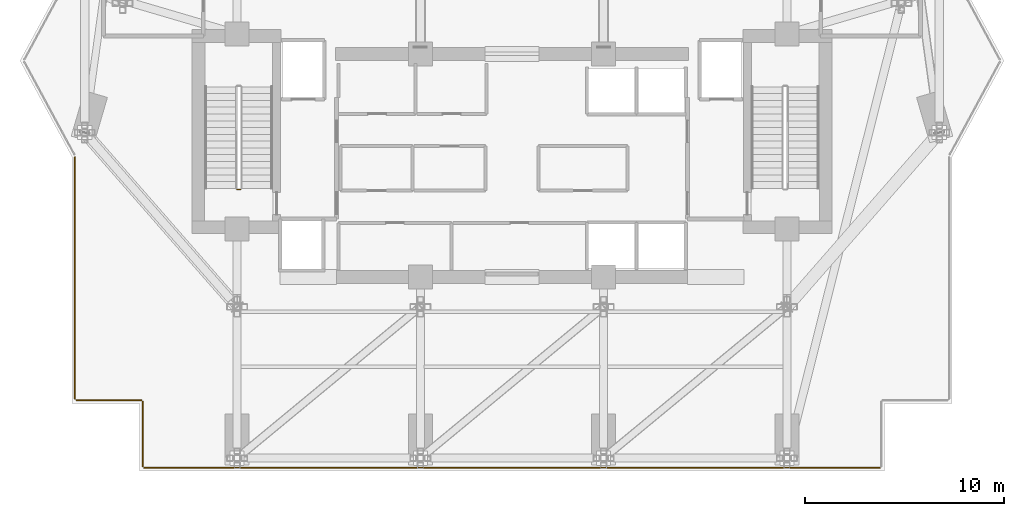
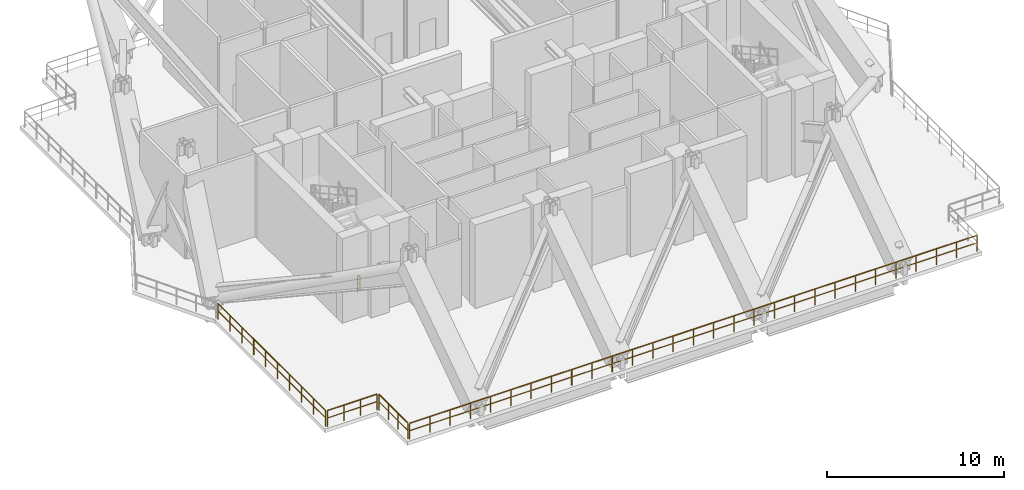
# One storey, part 15 of 18: 5 railings.
"""IFC4 building model written with IfcOpenShell, lengths in metres."""

from ifc_helpers import new_model, si_unit, direction, frame, origin, origin_2d, place, context, subcontext, project, spatial, rectangle, extrude, material, type_object, element, save


model = new_model("IFC4")

# Units and contexts
model_context = context("Model", 3, precision=1e-05, world=origin(), true_north=direction((0.0, 1.0)))
body_context = subcontext(model_context, "Body", "Model", "MODEL_VIEW")
ifc_project = project(units=[si_unit("LENGTHUNIT", "METRE"), si_unit("AREAUNIT", "SQUARE_METRE"), si_unit("VOLUMEUNIT", "CUBIC_METRE"), si_unit("PLANEANGLEUNIT", "RADIAN"), si_unit("MASSUNIT", "GRAM", prefix="KILO")], contexts=[model_context])

# Site, building, storey
site_placement = place(None, origin())
site = spatial("IfcSite", under=ifc_project, at=site_placement, CompositionType="ELEMENT")
building_placement = place(site_placement, origin())
building = spatial("IfcBuilding", under=site, at=building_placement, Name="Zuhayl Quay Hotel", CompositionType="ELEMENT")
storey_placement = place(building_placement, frame((0.0, 0.0, 233.64990234375)))
storey = spatial("IfcBuildingStorey", under=building, at=storey_placement, Name="L59", CompositionType="ELEMENT", Elevation=233.64990234375)

# Railings
ifc_material_1 = material(Name="Anodised Aluminium and Laminated Glass", Category="aluminium")
railing_type_1 = type_object("IfcRailingType", Name="RL_EXT_BAL_1100", PredefinedType="BALUSTRADE", material=ifc_material_1)
railing_1_placement = place(storey_placement, frame((-18.5400390625, -7.360107421875, 0.0)))
element("IfcRailing", 1, at=railing_1_placement, inside=storey, type_object=railing_type_1, Name="L59 Balcony and Terrace Guard GR_WIND_L59_01", PredefinedType="BALUSTRADE", context=body_context, shape_type="SweptSolid", body=[
    extrude(rectangle(XDim=0.048095703125, YDim=0.048095703125, at=origin_2d()), frame((0.0, 0.0, 1.09619140625), z_axis=(0.0, 1.0, 0.0), x_axis=(-1.0, 0.0, 0.0)), (0.0, 0.0, 1.0), 3.239990234375),
    extrude(rectangle(XDim=0.0361328125, YDim=0.0361328125, at=origin_2d()), frame((0.0, 0.0, 0.58251953125), z_axis=(0.0, 1.0, 0.0), x_axis=(-1.0, 0.0, 0.0)), (0.0, 0.0, 1.0), 3.239990234375),
    extrude(rectangle(XDim=0.0419921875, YDim=0.0419921875, at=origin_2d()), origin(), (0.0, 0.0, 1.0), 1.072021484375),
    extrude(rectangle(XDim=0.0419921875, YDim=0.0419921875, at=origin_2d()), frame((0.0, 1.080078125, 0.0)), (0.0, 0.0, 1.0), 1.072021484375),
    extrude(rectangle(XDim=0.0419921875, YDim=0.0419921875, at=origin_2d()), frame((0.0, 2.159912109375, 0.0)), (0.0, 0.0, 1.0), 1.072021484375),
    extrude(rectangle(XDim=0.0419921875, YDim=0.0419921875, at=origin_2d()), frame((0.0, 3.239990234375, 0.0)), (0.0, 0.0, 1.0), 1.072021484375),
])
railing_2_placement = place(storey_placement, frame((-18.6201171875, -4.0400390625, 0.0)))
element("IfcRailing", 2, at=railing_2_placement, inside=storey, type_object=railing_type_1, Name="L59 Balcony and Terrace Guard GR_WIND_L59_02", PredefinedType="BALUSTRADE", context=body_context, shape_type="SweptSolid", body=[
    extrude(rectangle(XDim=0.048095703125, YDim=0.048095703125, at=origin_2d()), frame((0.0, 0.0, 1.09619140625), z_axis=(-1.0, 0.0, 0.0), x_axis=(0.0, -1.0, 0.0)), (0.0, 0.0, 1.0), 3.239990234375),
    extrude(rectangle(XDim=0.0361328125, YDim=0.0361328125, at=origin_2d()), frame((0.0, 0.0, 0.58251953125), z_axis=(-1.0, 0.0, 0.0), x_axis=(0.0, -1.0, 0.0)), (0.0, 0.0, 1.0), 3.239990234375),
    extrude(rectangle(XDim=0.0419921875, YDim=0.0419921875, at=origin_2d()), origin(), (0.0, 0.0, 1.0), 1.072021484375),
    extrude(rectangle(XDim=0.0419921875, YDim=0.0419921875, at=origin_2d()), frame((-1.080078125, 0.0, 0.0)), (0.0, 0.0, 1.0), 1.072021484375),
    extrude(rectangle(XDim=0.0419921875, YDim=0.0419921875, at=origin_2d()), frame((-2.159912109375, 0.0, 0.0)), (0.0, 0.0, 1.0), 1.072021484375),
    extrude(rectangle(XDim=0.0419921875, YDim=0.0419921875, at=origin_2d()), frame((-3.239990234375, 0.0, 0.0)), (0.0, 0.0, 1.0), 1.072021484375),
])
railing_3_placement = place(storey_placement, frame((-21.93994140625, -3.9599609375, 0.0)))
element("IfcRailing", 3, at=railing_3_placement, inside=storey, type_object=railing_type_1, Name="L59 Balcony and Terrace Guard GR_WIND_L59_03", PredefinedType="BALUSTRADE", context=body_context, shape_type="SweptSolid", body=[
    extrude(rectangle(XDim=0.048095703125, YDim=0.048095703125, at=origin_2d()), frame((0.0, 0.0, 1.09619140625), z_axis=(0.0, 1.0, 0.0), x_axis=(-1.0, 0.0, 0.0)), (0.0, 0.0, 1.0), 12.12060546875),
    extrude(rectangle(XDim=0.0361328125, YDim=0.0361328125, at=origin_2d()), frame((0.0, 0.0, 0.58251953125), z_axis=(0.0, 1.0, 0.0), x_axis=(-1.0, 0.0, 0.0)), (0.0, 0.0, 1.0), 12.12060546875),
    extrude(rectangle(XDim=0.0419921875, YDim=0.0419921875, at=origin_2d()), origin(), (0.0, 0.0, 1.0), 1.072021484375),
    extrude(rectangle(XDim=0.0419921875, YDim=0.0419921875, at=origin_2d()), frame((0.0, 1.3466796875, 0.0)), (0.0, 0.0, 1.0), 1.072021484375),
    extrude(rectangle(XDim=0.0419921875, YDim=0.0419921875, at=origin_2d()), frame((0.0, 2.693359375, 0.0)), (0.0, 0.0, 1.0), 1.072021484375),
    extrude(rectangle(XDim=0.0419921875, YDim=0.0419921875, at=origin_2d()), frame((0.0, 4.040283203125, 0.0)), (0.0, 0.0, 1.0), 1.072021484375),
    extrude(rectangle(XDim=0.0419921875, YDim=0.0419921875, at=origin_2d()), frame((0.0, 5.386962890625, 0.0)), (0.0, 0.0, 1.0), 1.072021484375),
    extrude(rectangle(XDim=0.0419921875, YDim=0.0419921875, at=origin_2d()), frame((0.0, 6.733642578125, 0.0)), (0.0, 0.0, 1.0), 1.072021484375),
    extrude(rectangle(XDim=0.0419921875, YDim=0.0419921875, at=origin_2d()), frame((0.0, 8.080322265625, 0.0)), (0.0, 0.0, 1.0), 1.072021484375),
    extrude(rectangle(XDim=0.0419921875, YDim=0.0419921875, at=origin_2d()), frame((0.0, 9.42724609375, 0.0)), (0.0, 0.0, 1.0), 1.072021484375),
    extrude(rectangle(XDim=0.0419921875, YDim=0.0419921875, at=origin_2d()), frame((0.0, 10.77392578125, 0.0)), (0.0, 0.0, 1.0), 1.072021484375),
    extrude(rectangle(XDim=0.0419921875, YDim=0.0419921875, at=origin_2d()), frame((0.0, 12.12060546875, 0.0)), (0.0, 0.0, 1.0), 1.072021484375),
])
railing_4_placement = place(storey_placement, frame((18.4599609375, -7.43994140625, 0.0)))
element("IfcRailing", 4, at=railing_4_placement, inside=storey, type_object=railing_type_1, Name="L59 Balcony and Terrace Guard GR_WIND_L59_18", PredefinedType="BALUSTRADE", context=body_context, shape_type="SweptSolid", body=[
    extrude(rectangle(XDim=0.048095703125, YDim=0.048095703125, at=origin_2d()), frame((0.0, 0.0, 1.09619140625), z_axis=(-1.0, 0.0, 0.0), x_axis=(0.0, -1.0, 0.0)), (0.0, 0.0, 1.0), 36.919921875),
    extrude(rectangle(XDim=0.0361328125, YDim=0.0361328125, at=origin_2d()), frame((0.0, 0.0, 0.58251953125), z_axis=(-1.0, 0.0, 0.0), x_axis=(0.0, -1.0, 0.0)), (0.0, 0.0, 1.0), 36.919921875),
    extrude(rectangle(XDim=0.0419921875, YDim=0.0419921875, at=origin_2d()), origin(), (0.0, 0.0, 1.0), 1.072021484375),
    extrude(rectangle(XDim=0.0419921875, YDim=0.0419921875, at=origin_2d()), frame((-1.318603515625, 0.0, 0.0)), (0.0, 0.0, 1.0), 1.072021484375),
    extrude(rectangle(XDim=0.0419921875, YDim=0.0419921875, at=origin_2d()), frame((-2.63720703125, 0.0, 0.0)), (0.0, 0.0, 1.0), 1.072021484375),
    extrude(rectangle(XDim=0.0419921875, YDim=0.0419921875, at=origin_2d()), frame((-3.955810546875, 0.0, 0.0)), (0.0, 0.0, 1.0), 1.072021484375),
    extrude(rectangle(XDim=0.0419921875, YDim=0.0419921875, at=origin_2d()), frame((-5.274169921875, 0.0, 0.0)), (0.0, 0.0, 1.0), 1.072021484375),
    extrude(rectangle(XDim=0.0419921875, YDim=0.0419921875, at=origin_2d()), frame((-6.5927734375, 0.0, 0.0)), (0.0, 0.0, 1.0), 1.072021484375),
    extrude(rectangle(XDim=0.0419921875, YDim=0.0419921875, at=origin_2d()), frame((-7.911376953125, 0.0, 0.0)), (0.0, 0.0, 1.0), 1.072021484375),
    extrude(rectangle(XDim=0.0419921875, YDim=0.0419921875, at=origin_2d()), frame((-9.22998046875, 0.0, 0.0)), (0.0, 0.0, 1.0), 1.072021484375),
    extrude(rectangle(XDim=0.0419921875, YDim=0.0419921875, at=origin_2d()), frame((-10.548583984375, 0.0, 0.0)), (0.0, 0.0, 1.0), 1.072021484375),
    extrude(rectangle(XDim=0.0419921875, YDim=0.0419921875, at=origin_2d()), frame((-11.8671875, 0.0, 0.0)), (0.0, 0.0, 1.0), 1.072021484375),
    extrude(rectangle(XDim=0.0419921875, YDim=0.0419921875, at=origin_2d()), frame((-13.185791015625, 0.0, 0.0)), (0.0, 0.0, 1.0), 1.072021484375),
    extrude(rectangle(XDim=0.0419921875, YDim=0.0419921875, at=origin_2d()), frame((-14.504150390625, 0.0, 0.0)), (0.0, 0.0, 1.0), 1.072021484375),
    extrude(rectangle(XDim=0.0419921875, YDim=0.0419921875, at=origin_2d()), frame((-15.82275390625, 0.0, 0.0)), (0.0, 0.0, 1.0), 1.072021484375),
    extrude(rectangle(XDim=0.0419921875, YDim=0.0419921875, at=origin_2d()), frame((-17.141357421875, 0.0, 0.0)), (0.0, 0.0, 1.0), 1.072021484375),
    extrude(rectangle(XDim=0.0419921875, YDim=0.0419921875, at=origin_2d()), frame((-18.4599609375, 0.0, 0.0)), (0.0, 0.0, 1.0), 1.072021484375),
    extrude(rectangle(XDim=0.0419921875, YDim=0.0419921875, at=origin_2d()), frame((-19.778564453125, 0.0, 0.0)), (0.0, 0.0, 1.0), 1.072021484375),
    extrude(rectangle(XDim=0.0419921875, YDim=0.0419921875, at=origin_2d()), frame((-21.09716796875, 0.0, 0.0)), (0.0, 0.0, 1.0), 1.072021484375),
    extrude(rectangle(XDim=0.0419921875, YDim=0.0419921875, at=origin_2d()), frame((-22.415771484375, 0.0, 0.0)), (0.0, 0.0, 1.0), 1.072021484375),
    extrude(rectangle(XDim=0.0419921875, YDim=0.0419921875, at=origin_2d()), frame((-23.734130859375, 0.0, 0.0)), (0.0, 0.0, 1.0), 1.072021484375),
    extrude(rectangle(XDim=0.0419921875, YDim=0.0419921875, at=origin_2d()), frame((-25.052734375, 0.0, 0.0)), (0.0, 0.0, 1.0), 1.072021484375),
    extrude(rectangle(XDim=0.0419921875, YDim=0.0419921875, at=origin_2d()), frame((-26.371337890625, 0.0, 0.0)), (0.0, 0.0, 1.0), 1.072021484375),
    extrude(rectangle(XDim=0.0419921875, YDim=0.0419921875, at=origin_2d()), frame((-27.68994140625, 0.0, 0.0)), (0.0, 0.0, 1.0), 1.072021484375),
    extrude(rectangle(XDim=0.0419921875, YDim=0.0419921875, at=origin_2d()), frame((-29.008544921875, 0.0, 0.0)), (0.0, 0.0, 1.0), 1.072021484375),
    extrude(rectangle(XDim=0.0419921875, YDim=0.0419921875, at=origin_2d()), frame((-30.3271484375, 0.0, 0.0)), (0.0, 0.0, 1.0), 1.072021484375),
    extrude(rectangle(XDim=0.0419921875, YDim=0.0419921875, at=origin_2d()), frame((-31.645751953125, 0.0, 0.0)), (0.0, 0.0, 1.0), 1.072021484375),
    extrude(rectangle(XDim=0.0419921875, YDim=0.0419921875, at=origin_2d()), frame((-32.964111328125, 0.0, 0.0)), (0.0, 0.0, 1.0), 1.072021484375),
    extrude(rectangle(XDim=0.0419921875, YDim=0.0419921875, at=origin_2d()), frame((-34.28271484375, 0.0, 0.0)), (0.0, 0.0, 1.0), 1.072021484375),
    extrude(rectangle(XDim=0.0419921875, YDim=0.0419921875, at=origin_2d()), frame((-35.601318359375, 0.0, 0.0)), (0.0, 0.0, 1.0), 1.072021484375),
    extrude(rectangle(XDim=0.0419921875, YDim=0.0419921875, at=origin_2d()), frame((-36.919921875, 0.0, 0.0)), (0.0, 0.0, 1.0), 1.072021484375),
])
ifc_material_2 = material(Name="Steel ASTM A992 Grade 50", Category="steel")
railing_type_2 = type_object("IfcRailingType", Name="RL_GUARD_1100", PredefinedType="GUARDRAIL", material=ifc_material_2)
railing_5_placement = place(storey_placement, frame((-13.639892578125, 6.5400390625, 0.0)))
element("IfcRailing", 5, at=railing_5_placement, inside=storey, type_object=railing_type_2, Name="L59 ST1 stair guard 4", PredefinedType="GUARDRAIL", context=body_context, shape_type="SweptSolid", body=[
    extrude(rectangle(XDim=0.048095703125, YDim=0.048095703125, at=origin_2d()), frame((0.0, 0.0, 1.09619140625), z_axis=(-1.0, 0.0, 0.0), x_axis=(0.0, -1.0, 0.0)), (0.0, 0.0, 1.0), 0.150146484375),
    extrude(rectangle(XDim=0.0361328125, YDim=0.0361328125, at=origin_2d()), frame((0.0, 0.0, 0.58251953125), z_axis=(-1.0, 0.0, 0.0), x_axis=(0.0, -1.0, 0.0)), (0.0, 0.0, 1.0), 0.150146484375),
    extrude(rectangle(XDim=0.0419921875, YDim=0.0419921875, at=origin_2d()), origin(), (0.0, 0.0, 1.0), 1.072021484375),
    extrude(rectangle(XDim=0.0419921875, YDim=0.0419921875, at=origin_2d()), frame((-0.150146484375, 0.0, 0.0)), (0.0, 0.0, 1.0), 1.072021484375),
])

save(model, "model.ifc")
